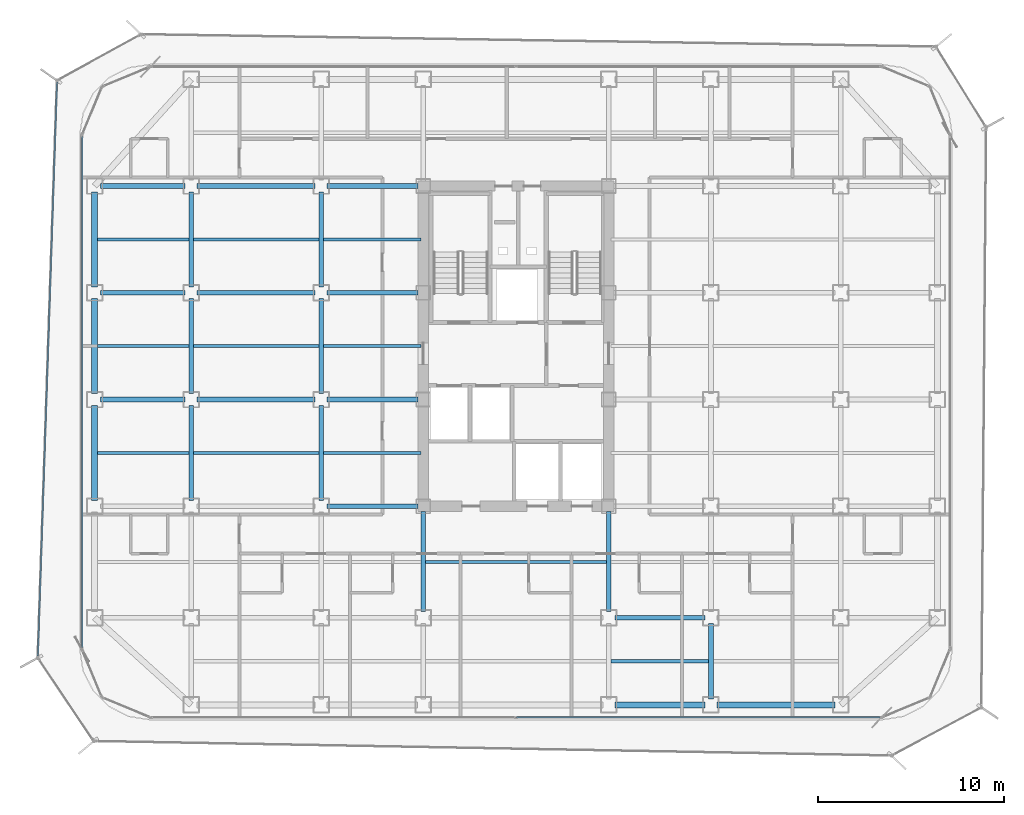
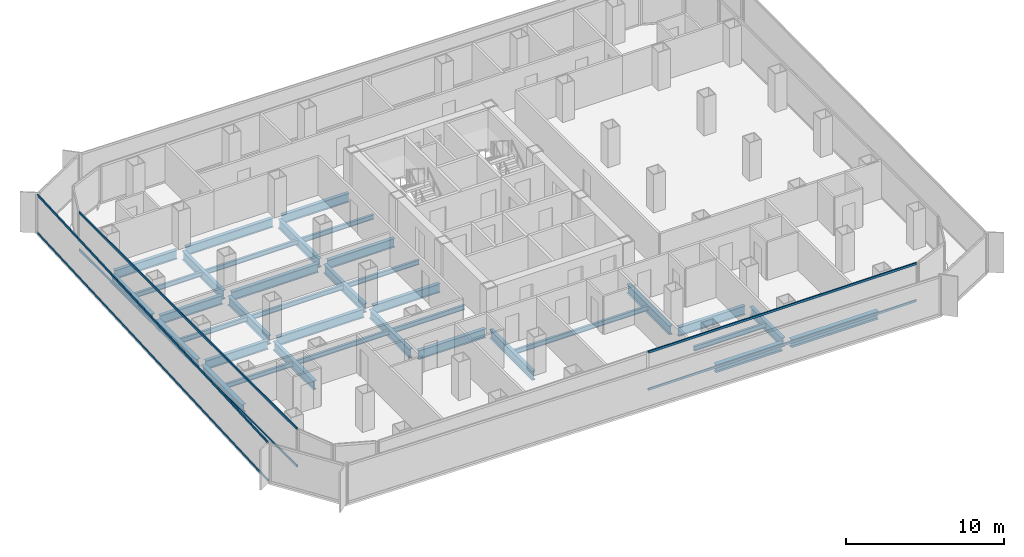
# One storey, part 5 of 21: 36 beams, 6 members, 3 elements without a shape of their own.
"""IFC4 building model written with IfcOpenShell, lengths in metres."""

from ifc_helpers import new_model, si_unit, direction, frame, origin, origin_2d, place, context, subcontext, project, spatial, hollow_rectangle, i_section, extrude, source, transform, mapped, material, layer, layer_set, material_profile, profile_set, type_object, element, aggregate, save


model = new_model("IFC4")

# Units and contexts
model_context = context("Model", 3, precision=1e-05, world=origin(), true_north=direction((0.0, 1.0)))
body_context = subcontext(model_context, "Body", "Model", "MODEL_VIEW")
ifc_project = project(units=[si_unit("LENGTHUNIT", "METRE"), si_unit("AREAUNIT", "SQUARE_METRE"), si_unit("VOLUMEUNIT", "CUBIC_METRE"), si_unit("PLANEANGLEUNIT", "RADIAN"), si_unit("MASSUNIT", "GRAM", prefix="KILO")], contexts=[model_context])

# Site, building, storey
site_placement = place(None, origin())
site = spatial("IfcSite", under=ifc_project, at=site_placement, CompositionType="ELEMENT")
building_placement = place(site_placement, origin())
building = spatial("IfcBuilding", under=site, at=building_placement, Name="Kolveth Station Tower", CompositionType="ELEMENT")
storey_placement = place(building_placement, frame((0.0, 0.0, 111.89990234375)))
storey = spatial("IfcBuildingStorey", under=building, at=storey_placement, Name="L30", CompositionType="ELEMENT", Elevation=111.89990234375)

# Beams
ifc_material_1 = material(Name="Steel S355", Category="steel")
ifc_material_profile_1 = material_profile(ifc_material_1, i_section(OverallWidth=0.323974609375, OverallDepth=0.611083984375, WebThickness=0.0126953125, FlangeThickness=0.01904296875, at=origin_2d()), Name="W610x155")
ifc_profile_set_1 = profile_set([ifc_material_profile_1], Name="Steel S355")
beam_type_1 = type_object("IfcBeamType", Name="Beam_SP2", PredefinedType="SPANDREL", material=ifc_profile_set_1)
shared_shape_1 = source(origin(), body_context, "Body", "SweptSolid", [
    extrude(i_section(OverallWidth=0.323974609375, OverallDepth=0.611083984375, WebThickness=0.0126953125, FlangeThickness=0.01904296875, at=origin_2d()), origin(), (0.0, 0.0, 1.0), 6.35986328125),
])
beam_1_placement = place(storey_placement, frame((34.320068359375, 0.800048828125, -0.555419921875), z_axis=(1.0, 0.0, 0.0), x_axis=(0.0, 1.0, 0.0)))
element("IfcBeam", 1, at=beam_1_placement, inside=storey, type_object=beam_type_1, Name="L30 Perimeter Spandrel BM-L30-PS-5", PredefinedType="SPANDREL", context=body_context, shape_type="MappedRepresentation", body=[
    mapped(shared_shape_1, transform((0.0, 0.0, 0.0), x_axis=(1.0, 0.0, 0.0), y_axis=(0.0, 1.0, 0.0), z_axis=(0.0, 0.0, 1.0), scale=1.0)),
])
shared_shape_2 = source(origin(), body_context, "Body", "SweptSolid", [
    extrude(i_section(OverallWidth=0.323974609375, OverallDepth=0.611083984375, WebThickness=0.0126953125, FlangeThickness=0.01904296875, at=origin_2d()), origin(), (0.0, 0.0, 1.0), 4.85986328125),
])
beam_2_placement = place(storey_placement, frame((28.820068359375, 0.800048828125, -0.555419921875), z_axis=(1.0, 0.0, 0.0), x_axis=(0.0, 1.0, 0.0)))
element("IfcBeam", 2, at=beam_2_placement, inside=storey, type_object=beam_type_1, Name="L30 Perimeter Spandrel BM-L30-PS-4", PredefinedType="SPANDREL", context=body_context, shape_type="MappedRepresentation", body=[
    mapped(shared_shape_2, transform((0.0, 0.0, 0.0), x_axis=(1.0, 0.0, 0.0), y_axis=(0.0, 1.0, 0.0), z_axis=(0.0, 0.0, 1.0), scale=1.0)),
])
shared_shape_3 = source(origin(), body_context, "Body", "SweptSolid", [
    extrude(i_section(OverallWidth=0.323974609375, OverallDepth=0.611083984375, WebThickness=0.0126953125, FlangeThickness=0.01904296875, at=origin_2d()), origin(), (0.0, 0.0, 1.0), 5.10986328125),
])
for number, where, z_axis, x_axis, name in (
    (3, (0.800048828125, 11.820068359375, -0.555419921875), (0.0, 1.0, 0.0), (-1.0, 0.0, 0.0), "L30 Perimeter Spandrel BM-L30-PW-2"),
    (4, (0.800048828125, 17.570068359375, -0.555419921875), (0.0, 1.0, 0.0), (-1.0, 0.0, 0.0), "L30 Perimeter Spandrel BM-L30-PW-3"),
    (5, (0.800048828125, 23.320068359375, -0.555419921875), (0.0, 1.0, 0.0), (-1.0, 0.0, 0.0), "L30 Perimeter Spandrel BM-L30-PW-4"),
):
    element("IfcBeam", number, at=place(storey_placement, frame(where, z_axis=z_axis, x_axis=x_axis)), inside=storey, type_object=beam_type_1, Name=name, PredefinedType="SPANDREL", context=body_context, shape_type="MappedRepresentation", body=[
        mapped(shared_shape_3, transform((0.0, 0.0, 0.0), x_axis=(1.0, 0.0, 0.0), y_axis=(0.0, 1.0, 0.0), z_axis=(0.0, 0.0, 1.0), scale=1.0)),
    ])
ifc_material_profile_2 = material_profile(ifc_material_1, i_section(OverallWidth=0.25390625, OverallDepth=0.68798828125, WebThickness=0.01318359375, FlangeThickness=0.02099609375, at=origin_2d()), Name="W690x152")
ifc_profile_set_2 = profile_set([ifc_material_profile_2], Name="Steel S355")
beam_type_2 = type_object("IfcBeamType", Name="Beam_B4", PredefinedType="BEAM", material=ifc_profile_set_2)
shared_shape_4 = source(origin(), body_context, "Body", "SweptSolid", [
    extrude(i_section(OverallWidth=0.25390625, OverallDepth=0.68798828125, WebThickness=0.01318359375, FlangeThickness=0.02099609375, at=origin_2d()), origin(), (0.0, 0.0, 1.0), 4.559814453125),
])
for number, where, z_axis, x_axis, name in (
    (6, (1.1201171875, 17.25, -0.593994140625), (1.0, 0.0, 0.0), (0.0, 1.0, 0.0), "L30 Primary Girder BM-L30-GY172-1"),
    (7, (1.1201171875, 23.0, -0.593994140625), (1.0, 0.0, 0.0), (0.0, 1.0, 0.0), "L30 Primary Girder BM-L30-GY230-1"),
    (8, (1.1201171875, 28.75, -0.593994140625), (1.0, 0.0, 0.0), (0.0, 1.0, 0.0), "L30 Primary Girder BM-L30-GY287-1"),
):
    element("IfcBeam", number, at=place(storey_placement, frame(where, z_axis=z_axis, x_axis=x_axis)), inside=storey, type_object=beam_type_2, Name=name, PredefinedType="BEAM", context=body_context, shape_type="MappedRepresentation", body=[
        mapped(shared_shape_4, transform((0.0, 0.0, 0.0), x_axis=(1.0, 0.0, 0.0), y_axis=(0.0, 1.0, 0.0), z_axis=(0.0, 0.0, 1.0), scale=1.0)),
    ])
shared_shape_5 = source(origin(), body_context, "Body", "SweptSolid", [
    extrude(i_section(OverallWidth=0.25390625, OverallDepth=0.68798828125, WebThickness=0.01318359375, FlangeThickness=0.02099609375, at=origin_2d()), origin(), (0.0, 0.0, 1.0), 6.35986328125),
])
for number, where, z_axis, x_axis, name in (
    (9, (6.320068359375, 17.25, -0.593994140625), (1.0, 0.0, 0.0), (0.0, 1.0, 0.0), "L30 Primary Girder BM-L30-GY172-2"),
    (10, (6.320068359375, 23.0, -0.593994140625), (1.0, 0.0, 0.0), (0.0, 1.0, 0.0), "L30 Primary Girder BM-L30-GY230-2"),
    (11, (6.320068359375, 28.75, -0.593994140625), (1.0, 0.0, 0.0), (0.0, 1.0, 0.0), "L30 Primary Girder BM-L30-GY287-2"),
):
    element("IfcBeam", number, at=place(storey_placement, frame(where, z_axis=z_axis, x_axis=x_axis)), inside=storey, type_object=beam_type_2, Name=name, PredefinedType="BEAM", context=body_context, shape_type="MappedRepresentation", body=[
        mapped(shared_shape_5, transform((0.0, 0.0, 0.0), x_axis=(1.0, 0.0, 0.0), y_axis=(0.0, 1.0, 0.0), z_axis=(0.0, 0.0, 1.0), scale=1.0)),
    ])
shared_shape_6 = source(origin(), body_context, "Body", "SweptSolid", [
    extrude(i_section(OverallWidth=0.25390625, OverallDepth=0.68798828125, WebThickness=0.01318359375, FlangeThickness=0.02099609375, at=origin_2d()), origin(), (0.0, 0.0, 1.0), 4.85986328125),
])
beam_3_placement = place(storey_placement, frame((28.820068359375, 5.5, -0.593994140625), z_axis=(1.0, 0.0, 0.0), x_axis=(0.0, 1.0, 0.0)))
element("IfcBeam", 12, at=beam_3_placement, inside=storey, type_object=beam_type_2, Name="L30 Primary Girder BM-L30-GY55-5", PredefinedType="BEAM", context=body_context, shape_type="MappedRepresentation", body=[
    mapped(shared_shape_6, transform((0.0, 0.0, 0.0), x_axis=(1.0, 0.0, 0.0), y_axis=(0.0, 1.0, 0.0), z_axis=(0.0, 0.0, 1.0), scale=1.0)),
])
shared_shape_7 = source(origin(), body_context, "Body", "SweptSolid", [
    extrude(i_section(OverallWidth=0.25390625, OverallDepth=0.68798828125, WebThickness=0.01318359375, FlangeThickness=0.02099609375, at=origin_2d()), origin(), (0.0, 0.0, 1.0), 4.89990234375),
])
for number, where, z_axis, x_axis, name in (
    (13, (13.320068359375, 11.5, -0.593994140625), (1.0, 0.0, 0.0), (0.0, 1.0, 0.0), "L30 Primary Girder BM-L30-GY115-3"),
    (14, (13.320068359375, 17.25, -0.593994140625), (1.0, 0.0, 0.0), (0.0, 1.0, 0.0), "L30 Primary Girder BM-L30-GY172-3"),
    (15, (13.320068359375, 23.0, -0.593994140625), (1.0, 0.0, 0.0), (0.0, 1.0, 0.0), "L30 Primary Girder BM-L30-GY230-3"),
    (16, (13.320068359375, 28.75, -0.593994140625), (1.0, 0.0, 0.0), (0.0, 1.0, 0.0), "L30 Primary Girder BM-L30-GY287-3"),
):
    element("IfcBeam", number, at=place(storey_placement, frame(where, z_axis=z_axis, x_axis=x_axis)), inside=storey, type_object=beam_type_2, Name=name, PredefinedType="BEAM", context=body_context, shape_type="MappedRepresentation", body=[
        mapped(shared_shape_7, transform((0.0, 0.0, 0.0), x_axis=(1.0, 0.0, 0.0), y_axis=(0.0, 1.0, 0.0), z_axis=(0.0, 0.0, 1.0), scale=1.0)),
    ])
shared_shape_8 = source(origin(), body_context, "Body", "SweptSolid", [
    extrude(i_section(OverallWidth=0.25390625, OverallDepth=0.68798828125, WebThickness=0.01318359375, FlangeThickness=0.02099609375, at=origin_2d()), origin(), (0.0, 0.0, 1.0), 4.059814453125),
])
beam_4_placement = place(storey_placement, frame((34.0, 1.1201171875, -0.593994140625), z_axis=(0.0, 1.0, 0.0), x_axis=(-1.0, 0.0, 0.0)))
element("IfcBeam", 17, at=beam_4_placement, inside=storey, type_object=beam_type_2, Name="L30 Primary Girder BM-L30-GX340-1", PredefinedType="BEAM", context=body_context, shape_type="MappedRepresentation", body=[
    mapped(shared_shape_8, transform((0.0, 0.0, 0.0), x_axis=(1.0, 0.0, 0.0), y_axis=(0.0, 1.0, 0.0), z_axis=(0.0, 0.0, 1.0), scale=1.0)),
])
shared_shape_9 = source(origin(), body_context, "Body", "SweptSolid", [
    extrude(i_section(OverallWidth=0.25390625, OverallDepth=0.68798828125, WebThickness=0.01318359375, FlangeThickness=0.02099609375, at=origin_2d()), origin(), (0.0, 0.0, 1.0), 5.10986328125),
])
for number, where, z_axis, x_axis, name in (
    (18, (6.0, 11.820068359375, -0.593994140625), (0.0, 1.0, 0.0), (-1.0, 0.0, 0.0), "L30 Primary Girder BM-L30-GX60-3"),
    (19, (6.0, 17.570068359375, -0.593994140625), (0.0, 1.0, 0.0), (-1.0, 0.0, 0.0), "L30 Primary Girder BM-L30-GX60-4"),
    (20, (6.0, 23.320068359375, -0.593994140625), (0.0, 1.0, 0.0), (-1.0, 0.0, 0.0), "L30 Primary Girder BM-L30-GX60-5"),
    (21, (13.0, 11.820068359375, -0.593994140625), (0.0, 1.0, 0.0), (-1.0, 0.0, 0.0), "L30 Primary Girder BM-L30-GX130-3"),
    (22, (13.0, 17.570068359375, -0.593994140625), (0.0, 1.0, 0.0), (-1.0, 0.0, 0.0), "L30 Primary Girder BM-L30-GX130-4"),
    (23, (13.0, 23.320068359375, -0.593994140625), (0.0, 1.0, 0.0), (-1.0, 0.0, 0.0), "L30 Primary Girder BM-L30-GX130-5"),
):
    element("IfcBeam", number, at=place(storey_placement, frame(where, z_axis=z_axis, x_axis=x_axis)), inside=storey, type_object=beam_type_2, Name=name, PredefinedType="BEAM", context=body_context, shape_type="MappedRepresentation", body=[
        mapped(shared_shape_9, transform((0.0, 0.0, 0.0), x_axis=(1.0, 0.0, 0.0), y_axis=(0.0, 1.0, 0.0), z_axis=(0.0, 0.0, 1.0), scale=1.0)),
    ])
shared_shape_10 = source(origin(), body_context, "Body", "SweptSolid", [
    extrude(i_section(OverallWidth=0.25390625, OverallDepth=0.68798828125, WebThickness=0.01318359375, FlangeThickness=0.02099609375, at=origin_2d()), origin(), (0.0, 0.0, 1.0), 5.39990234375),
])
for number, where, z_axis, x_axis, name in (
    (24, (18.5, 5.820068359375, -0.593994140625), (0.0, 1.0, 0.0), (-1.0, 0.0, 0.0), "L30 Primary Girder BM-L30-GX185-2"),
    (25, (28.5, 5.820068359375, -0.593994140625), (0.0, 1.0, 0.0), (-1.0, 0.0, 0.0), "L30 Primary Girder BM-L30-GX285-2"),
):
    element("IfcBeam", number, at=place(storey_placement, frame(where, z_axis=z_axis, x_axis=x_axis)), inside=storey, type_object=beam_type_2, Name=name, PredefinedType="BEAM", context=body_context, shape_type="MappedRepresentation", body=[
        mapped(shared_shape_10, transform((0.0, 0.0, 0.0), x_axis=(1.0, 0.0, 0.0), y_axis=(0.0, 1.0, 0.0), z_axis=(0.0, 0.0, 1.0), scale=1.0)),
    ])
ifc_material_profile_3 = material_profile(ifc_material_1, i_section(OverallWidth=0.1708984375, OverallDepth=0.35205078125, WebThickness=0.0068359375, FlangeThickness=0.009765625, at=origin_2d()), Name="W360x44")
ifc_profile_set_3 = profile_set([ifc_material_profile_3], Name="Steel S355")
beam_type_3 = type_object("IfcBeamType", Name="Beam_J2", PredefinedType="JOIST", material=ifc_profile_set_3)
shared_shape_11 = source(origin(), body_context, "Body", "SweptSolid", [
    extrude(i_section(OverallWidth=0.1708984375, OverallDepth=0.35205078125, WebThickness=0.0068359375, FlangeThickness=0.009765625, at=origin_2d()), origin(), (0.0, 0.0, 1.0), 4.9150390625),
])
for number, where, z_axis, x_axis, name in (
    (26, (0.9599609375, 14.375, -0.42578125), (1.0, 0.0, 0.0), (0.0, 1.0, 0.0), "L30 Secondary Joist JST-L30-1-3"),
    (27, (0.9599609375, 20.125, -0.42578125), (1.0, 0.0, 0.0), (0.0, 1.0, 0.0), "L30 Secondary Joist JST-L30-1-4"),
    (28, (0.9599609375, 25.875, -0.42578125), (1.0, 0.0, 0.0), (0.0, 1.0, 0.0), "L30 Secondary Joist JST-L30-1-5"),
):
    element("IfcBeam", number, at=place(storey_placement, frame(where, z_axis=z_axis, x_axis=x_axis)), inside=storey, type_object=beam_type_3, Name=name, PredefinedType="JOIST", context=body_context, shape_type="MappedRepresentation", body=[
        mapped(shared_shape_11, transform((0.0, 0.0, 0.0), x_axis=(1.0, 0.0, 0.0), y_axis=(0.0, 1.0, 0.0), z_axis=(0.0, 0.0, 1.0), scale=1.0)),
    ])
shared_shape_12 = source(origin(), body_context, "Body", "SweptSolid", [
    extrude(i_section(OverallWidth=0.1708984375, OverallDepth=0.35205078125, WebThickness=0.0068359375, FlangeThickness=0.009765625, at=origin_2d()), origin(), (0.0, 0.0, 1.0), 6.75),
])
for number, where, z_axis, x_axis, name in (
    (29, (6.125, 14.375, -0.42578125), (1.0, 0.0, 0.0), (0.0, 1.0, 0.0), "L30 Secondary Joist JST-L30-2-3"),
    (30, (6.125, 20.125, -0.42578125), (1.0, 0.0, 0.0), (0.0, 1.0, 0.0), "L30 Secondary Joist JST-L30-2-4"),
    (31, (6.125, 25.875, -0.42578125), (1.0, 0.0, 0.0), (0.0, 1.0, 0.0), "L30 Secondary Joist JST-L30-2-5"),
):
    element("IfcBeam", number, at=place(storey_placement, frame(where, z_axis=z_axis, x_axis=x_axis)), inside=storey, type_object=beam_type_3, Name=name, PredefinedType="JOIST", context=body_context, shape_type="MappedRepresentation", body=[
        mapped(shared_shape_12, transform((0.0, 0.0, 0.0), x_axis=(1.0, 0.0, 0.0), y_axis=(0.0, 1.0, 0.0), z_axis=(0.0, 0.0, 1.0), scale=1.0)),
    ])
shared_shape_13 = source(origin(), body_context, "Body", "SweptSolid", [
    extrude(i_section(OverallWidth=0.1708984375, OverallDepth=0.35205078125, WebThickness=0.0068359375, FlangeThickness=0.009765625, at=origin_2d()), origin(), (0.0, 0.0, 1.0), 5.25),
])
for number, where, z_axis, x_axis, name in (
    (32, (13.125, 14.375, -0.42578125), (1.0, 0.0, 0.0), (0.0, 1.0, 0.0), "L30 Secondary Joist JST-L30-3-3"),
    (33, (13.125, 20.125, -0.42578125), (1.0, 0.0, 0.0), (0.0, 1.0, 0.0), "L30 Secondary Joist JST-L30-3-4"),
    (34, (13.125, 25.875, -0.42578125), (1.0, 0.0, 0.0), (0.0, 1.0, 0.0), "L30 Secondary Joist JST-L30-3-5"),
    (35, (28.625, 3.14990234375, -0.42578125), (1.0, 0.0, 0.0), (0.0, 1.0, 0.0), "L30 Secondary Joist JST-L30-5-1"),
):
    element("IfcBeam", number, at=place(storey_placement, frame(where, z_axis=z_axis, x_axis=x_axis)), inside=storey, type_object=beam_type_3, Name=name, PredefinedType="JOIST", context=body_context, shape_type="MappedRepresentation", body=[
        mapped(shared_shape_13, transform((0.0, 0.0, 0.0), x_axis=(1.0, 0.0, 0.0), y_axis=(0.0, 1.0, 0.0), z_axis=(0.0, 0.0, 1.0), scale=1.0)),
    ])
shared_shape_14 = source(origin(), body_context, "Body", "SweptSolid", [
    extrude(i_section(OverallWidth=0.1708984375, OverallDepth=0.35205078125, WebThickness=0.0068359375, FlangeThickness=0.009765625, at=origin_2d()), origin(), (0.0, 0.0, 1.0), 9.75),
])
beam_5_placement = place(storey_placement, frame((18.625, 8.5, -0.42578125), z_axis=(1.0, 0.0, 0.0), x_axis=(0.0, 1.0, 0.0)))
element("IfcBeam", 36, at=beam_5_placement, inside=storey, type_object=beam_type_3, Name="L30 Secondary Joist JST-L30-4-2", PredefinedType="JOIST", context=body_context, shape_type="MappedRepresentation", body=[
    mapped(shared_shape_14, transform((0.0, 0.0, 0.0), x_axis=(1.0, 0.0, 0.0), y_axis=(0.0, 1.0, 0.0), z_axis=(0.0, 0.0, 1.0), scale=1.0)),
])

# Curtain wall, members
ifc_material_2 = material(Name="Aluminium 6063-T6 and low-E dark glass", Category="aluminium")
ifc_layer_1 = layer(ifc_material_2, 0.18994140625)
ifc_layer_set_1 = layer_set([ifc_layer_1], Name="Aluminium 6063-T6 and low-E dark glass")
curtain_wall_type_1 = type_object("IfcCurtainWallType", Name="CurtainWall_CW-Z2", PredefinedType="NOTDEFINED", material=ifc_layer_set_1)
curtain_wall_1_placement = place(storey_placement, origin())
curtain_wall_1 = element("IfcCurtainWall", 37, at=curtain_wall_1_placement, inside=storey, type_object=curtain_wall_type_1, Name="L30 Inner Thermal Curtain Wall 9", PredefinedType="NOTDEFINED")
ifc_material_3 = material(Name="Black anodized aluminium 6063-T6", Category="aluminium")
ifc_material_profile_4 = material_profile(ifc_material_3, hollow_rectangle(XDim=0.080078125, YDim=0.169921875, WallThickness=0.0048828125, at=origin_2d()), Name="ALU-80x170x5")
ifc_profile_set_4 = profile_set([ifc_material_profile_4], Name="Black anodized aluminium 6063-T6")
member_type_1 = type_object("IfcMemberType", Name="Transom_TR2", PredefinedType="USERDEFINED", material=ifc_profile_set_4)
shared_shape_15 = source(origin(), body_context, "Body", "SweptSolid", [
    extrude(hollow_rectangle(XDim=0.080078125, YDim=0.169921875, WallThickness=0.0048828125, at=origin_2d()), origin(), (0.0, 0.0, 1.0), 27.5400390625),
])
member_1_placement = place(storey_placement, frame((0.1201171875, 31.419921875, 0.0400390625), z_axis=(0.0, -1.0, 0.0), x_axis=(1.0, 0.0, 0.0)))
member_1 = element("IfcMember", 38, at=member_1_placement, type_object=member_type_1, Name="CW-Z2 transom 1.1", ObjectType="TRANSOM", PredefinedType="USERDEFINED", context=body_context, shape_type="MappedRepresentation", body=[
    mapped(shared_shape_15, transform((0.0, 0.0, 0.0), x_axis=(1.0, 0.0, 0.0), y_axis=(0.0, 1.0, 0.0), z_axis=(0.0, 0.0, 1.0), scale=1.0)),
])
member_2_placement = place(storey_placement, frame((0.1201171875, 31.419921875, 2.91015625), z_axis=(0.0, -1.0, 0.0), x_axis=(1.0, 0.0, 0.0)))
member_2 = element("IfcMember", 39, at=member_2_placement, type_object=member_type_1, Name="CW-Z2 transom 1.2", ObjectType="TRANSOM", PredefinedType="USERDEFINED", context=body_context, shape_type="MappedRepresentation", body=[
    mapped(shared_shape_15, transform((0.0, 0.0, 0.0), x_axis=(1.0, 0.0, 0.0), y_axis=(0.0, 1.0, 0.0), z_axis=(0.0, 0.0, 1.0), scale=1.0)),
])
aggregate(curtain_wall_1, [member_1, member_2])

curtain_wall_2_placement = place(storey_placement, origin())
curtain_wall_2 = element("IfcCurtainWall", 40, at=curtain_wall_2_placement, inside=storey, type_object=curtain_wall_type_1, Name="L30 Inner Thermal Curtain Wall 12", PredefinedType="NOTDEFINED")
shared_shape_16 = source(origin(), body_context, "Body", "SweptSolid", [
    extrude(hollow_rectangle(XDim=0.080078125, YDim=0.169921875, WallThickness=0.0048828125, at=origin_2d()), origin(), (0.0, 0.0, 1.0), 19.580078125),
])
member_3_placement = place(storey_placement, frame((23.5400390625, 0.1201171875, 0.0400390625), z_axis=(1.0, 0.0, 0.0), x_axis=(0.0, 1.0, 0.0)))
member_3 = element("IfcMember", 41, at=member_3_placement, type_object=member_type_1, Name="CW-Z2 transom 2.1", ObjectType="TRANSOM", PredefinedType="USERDEFINED", context=body_context, shape_type="MappedRepresentation", body=[
    mapped(shared_shape_16, transform((0.0, 0.0, 0.0), x_axis=(1.0, 0.0, 0.0), y_axis=(0.0, 1.0, 0.0), z_axis=(0.0, 0.0, 1.0), scale=1.0)),
])
member_4_placement = place(storey_placement, frame((23.5400390625, 0.1201171875, 2.91015625), z_axis=(1.0, 0.0, 0.0), x_axis=(0.0, 1.0, 0.0)))
member_4 = element("IfcMember", 42, at=member_4_placement, type_object=member_type_1, Name="CW-Z2 transom 2.2", ObjectType="TRANSOM", PredefinedType="USERDEFINED", context=body_context, shape_type="MappedRepresentation", body=[
    mapped(shared_shape_16, transform((0.0, 0.0, 0.0), x_axis=(1.0, 0.0, 0.0), y_axis=(0.0, 1.0, 0.0), z_axis=(0.0, 0.0, 1.0), scale=1.0)),
])
aggregate(curtain_wall_2, [member_3, member_4])

ifc_material_4 = material(Name="Black anodized aluminium 6063-T6 and dark solar glass", Category="aluminium")
ifc_layer_2 = layer(ifc_material_4, 0.159912109375)
ifc_layer_set_2 = layer_set([ifc_layer_2], Name="Black anodized aluminium 6063-T6 and dark solar glass")
curtain_wall_type_2 = type_object("IfcCurtainWallType", Name="OUTER SKIN CW-OS", PredefinedType="NOTDEFINED", material=ifc_layer_set_2)
curtain_wall_3_placement = place(storey_placement, origin())
curtain_wall_3 = element("IfcCurtainWall", 43, at=curtain_wall_3_placement, inside=storey, type_object=curtain_wall_type_2, Name="L30 Outer Ventilated Skin Curtain Wall 6", PredefinedType="NOTDEFINED")
ifc_material_profile_5 = material_profile(ifc_material_3, hollow_rectangle(XDim=0.080078125, YDim=0.14990234375, WallThickness=0.0048828125, at=origin_2d()), Name="ALU-80x150x5")
ifc_profile_set_5 = profile_set([ifc_material_profile_5], Name="Black anodized aluminium 6063-T6")
member_type_2 = type_object("IfcMemberType", Name="Transom_TR-OS", PredefinedType="USERDEFINED", material=ifc_profile_set_5)
shared_shape_17 = source(origin(), body_context, "Body", "SweptSolid", [
    extrude(hollow_rectangle(XDim=0.080078125, YDim=0.14990234375, WallThickness=0.0048828125, at=origin_2d()), origin(), (0.0, 0.0, 1.0), 30.939697265625),
])
member_5_placement = place(storey_placement, frame((-1.226318359375, 34.34814453125, 0.0400390625), z_axis=(-0.033330857104, -0.999444372621, 0.0), x_axis=(0.999444372621, -0.033330857104, 0.0)))
member_5 = element("IfcMember", 44, at=member_5_placement, type_object=member_type_2, Name="CW-OS transom 1.1", ObjectType="TRANSOM", PredefinedType="USERDEFINED", context=body_context, shape_type="MappedRepresentation", body=[
    mapped(shared_shape_17, transform((0.0, 0.0, 0.0), x_axis=(1.0, 0.0, 0.0), y_axis=(0.0, 1.0, 0.0), z_axis=(0.0, 0.0, 1.0), scale=1.0)),
])
member_6_placement = place(storey_placement, frame((-1.226318359375, 34.34814453125, 2.9501953125), z_axis=(-0.033330857104, -0.999444372621, 0.0), x_axis=(0.999444372621, -0.033330857104, 0.0)))
member_6 = element("IfcMember", 45, at=member_6_placement, type_object=member_type_2, Name="CW-OS transom 1.2", ObjectType="TRANSOM", PredefinedType="USERDEFINED", context=body_context, shape_type="MappedRepresentation", body=[
    mapped(shared_shape_17, transform((0.0, 0.0, 0.0), x_axis=(1.0, 0.0, 0.0), y_axis=(0.0, 1.0, 0.0), z_axis=(0.0, 0.0, 1.0), scale=1.0)),
])
aggregate(curtain_wall_3, [member_5, member_6])

save(model, "model.ifc")
